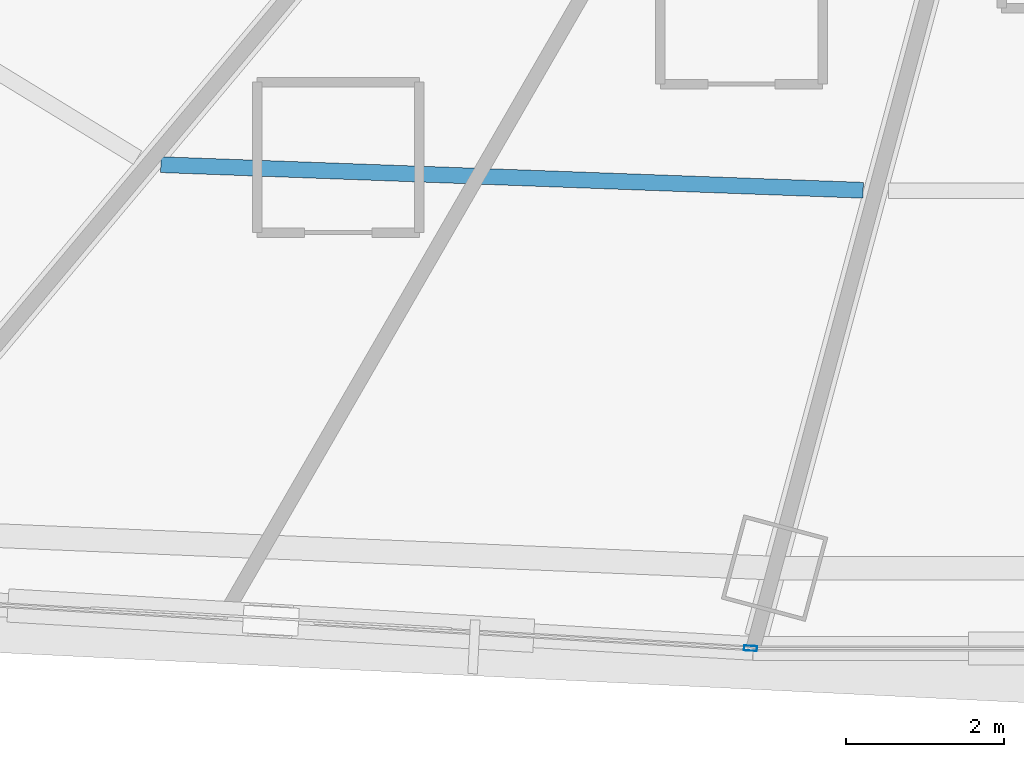
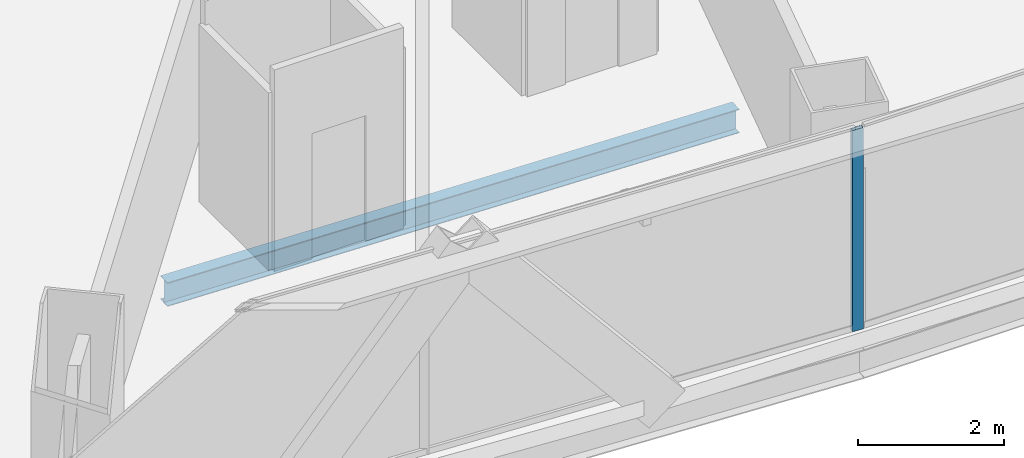
# One storey, part 8 of 40: 1 beam, 1 member, 1 element without a shape of its own.
"""IFC4 building model written with IfcOpenShell, lengths in metres."""

from ifc_helpers import new_model, si_unit, direction, frame, origin, origin_2d, place, context, subcontext, project, spatial, hollow_rectangle, i_section, extrude, source, transform, mapped, material, layer, layer_set, material_profile, profile_set, type_object, element, aggregate, save


model = new_model("IFC4")

# Units and contexts
model_context = context("Model", 3, precision=1e-05, world=origin(), true_north=direction((0.0, 1.0)))
body_context = subcontext(model_context, "Body", "Model", "MODEL_VIEW")
ifc_project = project(units=[si_unit("LENGTHUNIT", "METRE"), si_unit("AREAUNIT", "SQUARE_METRE"), si_unit("VOLUMEUNIT", "CUBIC_METRE"), si_unit("PLANEANGLEUNIT", "RADIAN"), si_unit("MASSUNIT", "GRAM", prefix="KILO"), si_unit("THERMODYNAMICTEMPERATUREUNIT", "KELVIN"), si_unit("POWERUNIT", "WATT")], contexts=[model_context])

# Site, building, storey
site_placement = place(None, origin())
site = spatial("IfcSite", under=ifc_project, at=site_placement, CompositionType="ELEMENT")
building_placement = place(site_placement, origin())
building = spatial("IfcBuilding", under=site, at=building_placement, Name="Yunzhuo Pagoda Commons", CompositionType="ELEMENT")
storey_placement = place(building_placement, frame((0.0, 0.0, 66.699951171875)))
storey = spatial("IfcBuildingStorey", under=building, at=storey_placement, Name="L17", CompositionType="ELEMENT", Elevation=66.699951171875)

# Beam
ifc_material_1 = material(Name="Structural steel Q355B", Category="steel")
ifc_material_profile_1 = material_profile(ifc_material_1, i_section(OverallWidth=0.199951171875, OverallDepth=0.39990234375, WebThickness=0.008056640625, FlangeThickness=0.012939453125, at=origin_2d()), Name="Structural steel Q355B")
ifc_profile_set_1 = profile_set([ifc_material_profile_1], Name="Structural steel Q355B")
beam_type = type_object("IfcBeamType", Name="B-JS1 Joist HN 400x200x8x13", PredefinedType="JOIST", material=ifc_profile_set_1)
shared_shape_1 = source(origin(), body_context, "Body", "SweptSolid", [
    extrude(i_section(OverallWidth=0.199951171875, OverallDepth=0.39990234375, WebThickness=0.008056640625, FlangeThickness=0.012939453125, at=origin_2d()), origin(), (0.0, 0.0, 1.0), 8.876953125),
])
beam_placement = place(storey_placement, frame((34.527099609375, 17.448486328125, -0.4599609375), z_axis=(0.999335806416, -0.036440993601, 0.0), x_axis=(0.036440993601, 0.999335806416, 0.0)))
element("IfcBeam", 1, at=beam_placement, inside=storey, type_object=beam_type, Name="L17 composite ring joist 2.1", PredefinedType="JOIST", context=body_context, shape_type="MappedRepresentation", body=[
    mapped(shared_shape_1, transform((0.0, 0.0, 0.0), scale=1.0)),
])

# Curtain wall, member
ifc_material_2 = material(Name="Anodized aluminium 6063-T6", Category="aluminium")
ifc_layer = layer(ifc_material_2, 0.1650390625)
ifc_layer_set = layer_set([ifc_layer], Name="Anodized aluminium 6063-T6")
curtain_wall_type = type_object("IfcCurtainWallType", Name="CW-LOW Low-Zone Ribbon Curtain Wall", PredefinedType="NOTDEFINED", material=ifc_layer_set)
curtain_wall_placement = place(storey_placement, origin())
curtain_wall = element("IfcCurtainWall", 2, at=curtain_wall_placement, inside=storey, type_object=curtain_wall_type, Name="L17 curtain wall CW-L17-F1B2", PredefinedType="NOTDEFINED")
ifc_material_profile_2 = material_profile(ifc_material_2, hollow_rectangle(XDim=0.06494140625, YDim=0.1650390625, WallThickness=0.00390625, at=origin_2d()), Name="Anodized aluminium 6063-T6")
ifc_profile_set_2 = profile_set([ifc_material_profile_2], Name="Anodized aluminium 6063-T6")
member_type = type_object("IfcMemberType", Name="CW-LOW-M Mullion RHS 165x65x4", PredefinedType="MULLION", material=ifc_profile_set_2)
shared_shape_2 = source(origin(), body_context, "Body", "SweptSolid", [
    extrude(hollow_rectangle(XDim=0.06494140625, YDim=0.1650390625, WallThickness=0.00390625, at=origin_2d()), origin(), (0.0, 0.0, 1.0), 3.3701171875),
])
member_placement = place(storey_placement, frame((41.9755859375, 11.339599609375, 0.0), z_axis=(0.0, 0.0, 1.0), x_axis=(0.057542190557, 0.998343075454, 0.0)))
member = element("IfcMember", 3, at=member_placement, type_object=member_type, Name="CW mullion 2", PredefinedType="MULLION", context=body_context, shape_type="MappedRepresentation", body=[
    mapped(shared_shape_2, transform((0.0, 0.0, 0.0), scale=1.0)),
])
aggregate(curtain_wall, [member])

save(model, "model.ifc")
